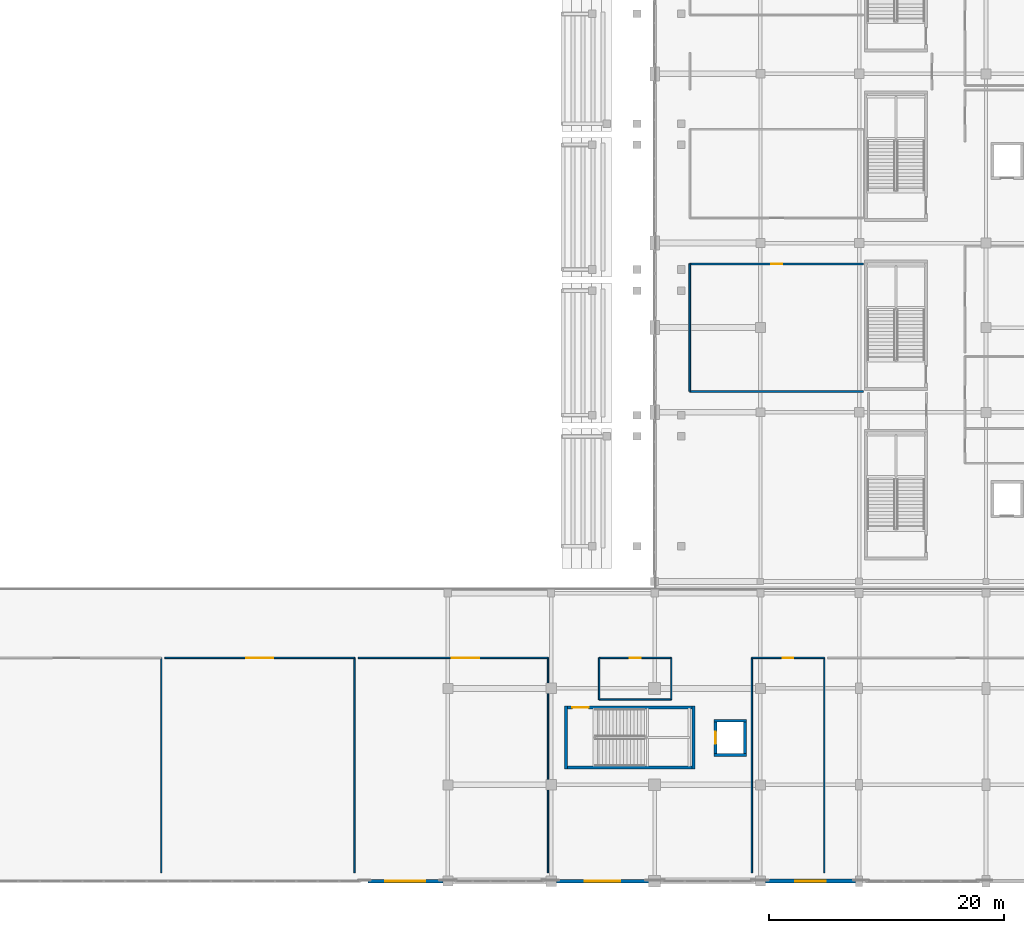
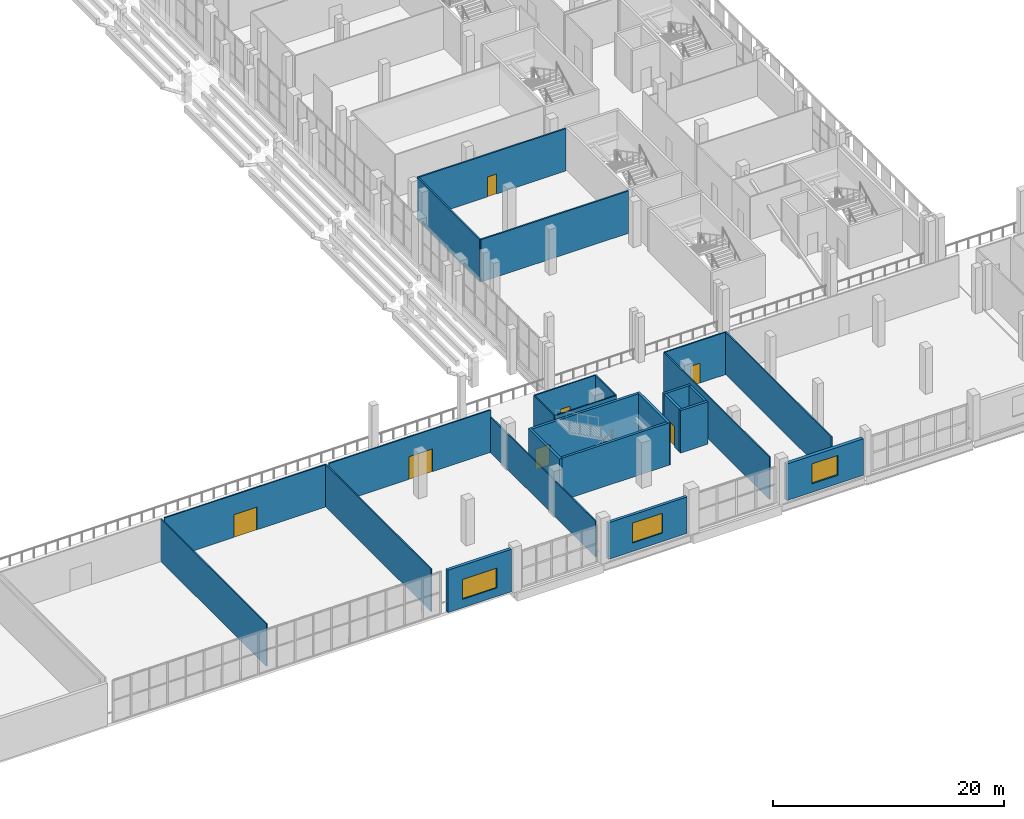
# One storey, part 96 of 142: 26 walls, 7 doors, 3 windows, 10 openings.
"""IFC4 building model written with IfcOpenShell, lengths in metres."""

from ifc_helpers import new_model, si_unit, direction, frame, frame_2d, origin, place, context, subcontext, project, spatial, rectangle, extrude, material, layer, layer_set, type_object, element, fill, save


model = new_model("IFC4")

# Units and contexts
model_context = context("Model", 3, precision=1e-05, world=origin(), true_north=direction((0.0, 1.0)))
body_context = subcontext(model_context, "Body", "Model", "MODEL_VIEW")
ifc_project = project(units=[si_unit("LENGTHUNIT", "METRE"), si_unit("AREAUNIT", "SQUARE_METRE"), si_unit("VOLUMEUNIT", "CUBIC_METRE"), si_unit("PLANEANGLEUNIT", "RADIAN"), si_unit("MASSUNIT", "GRAM", prefix="KILO")], contexts=[model_context])

# Site, building, storey
site_placement = place(None, origin())
site = spatial("IfcSite", under=ifc_project, at=site_placement, CompositionType="ELEMENT")
building_placement = place(site_placement, origin())
building = spatial("IfcBuilding", under=site, at=building_placement, Name="Koshinbarg Plaza Stadium", CompositionType="ELEMENT")
storey_placement = place(building_placement, frame((0.0, 0.0, 10.199951171875)))
storey = spatial("IfcBuildingStorey", under=building, at=storey_placement, Name="L02", CompositionType="ELEMENT", Elevation=10.199951171875)

# Walls
ifc_material_1 = material(Name="Concrete C40/50", Category="concrete")
ifc_layer_1 = layer(ifc_material_1, 0.25)
ifc_layer_set_1 = layer_set([ifc_layer_1], Name="Concrete C40/50")
wall_type_1 = type_object("IfcWallType", Name="WL-CORE-250", PredefinedType="SHEAR", material=ifc_layer_set_1)
for number, where, z_axis, x_axis, name in (
    (1, (172.875, 14.919921875, 0.0), (0.0, 0.0, 1.0), (0.0, -1.0, 0.0), "L02 core stair shear wall C14-near IWL-L02-0318"),
    (2, (183.72509765625, 9.550048828125, 0.0), (0.0, 0.0, 1.0), (0.0, 1.0, 0.0), "L02 core stair shear wall C14-far IWL-L02-0319"),
):
    element("IfcWall", number, at=place(storey_placement, frame(where, z_axis=z_axis, x_axis=x_axis)), inside=storey, type_object=wall_type_1, Name=name, PredefinedType="SHEAR", context=body_context, shape_type="SweptSolid", body=[
        extrude(rectangle(XDim=5.369873046875, YDim=0.25, at=frame_2d((2.68505859375, 0.0))), origin(), (0.0, 0.0, 1.0), 4.47998046875),
    ])

# Wall, opening, door
wall_1_placement = place(storey_placement, frame((172.875, 14.794921875, 0.0), z_axis=(0.0, 0.0, 1.0), x_axis=(1.0, 0.0, 0.0)))
wall_1 = element("IfcWall", 3, at=wall_1_placement, inside=storey, type_object=wall_type_1, Name="L02 core stair shear wall C14-left IWL-L02-0320", PredefinedType="SHEAR", context=body_context, shape_type="SweptSolid", body=[
    extrude(rectangle(XDim=10.85009765625, YDim=0.25, at=frame_2d((5.425048828125, 0.0))), origin(), (0.0, 0.0, 1.0), 4.47998046875),
])
opening_1_placement = place(wall_1_placement, frame((0.52001953125, 0.0, 0.0)))
opening_1 = element("IfcOpeningElement", 4, at=opening_1_placement, cuts=wall_1, Name="Opening D-0142", PredefinedType="OPENING", context=body_context, shape_type="SweptSolid", body=[
    extrude(rectangle(XDim=1.39990234375, YDim=2.14990234375, at=frame_2d((0.699951171875, 1.074951171875))), frame((0.0, 0.135009765625, 0.0), z_axis=(0.0, -1.0, 0.0), x_axis=(1.0, 0.0, 0.0)), (0.0, 0.0, 1.0), 0.27001953125),
])
ifc_material_2 = material(Name="Painted galvanized steel fire door", Category="steel")
door_type_1 = type_object("IfcDoorType", Name="DR-STAIR-1400", OperationType="NOTDEFINED", PredefinedType="DOOR", material=ifc_material_2)
door_1_placement = place(opening_1_placement, frame((1.39990234375, 0.0, 0.0), z_axis=(0.0, 0.0, 1.0), x_axis=(-1.0, 0.0, 0.0)))
door_1 = element("IfcDoor", 5, at=door_1_placement, inside=storey, type_object=door_type_1, Name="L02 exit stair door C14", OperationType="SINGLE_SWING_LEFT", OverallHeight=2.14990234375, OverallWidth=1.39990234375, PredefinedType="DOOR", context=body_context, shape_type="SweptSolid", body=[
    extrude(rectangle(XDim=1.39990234375, YDim=2.14990234375, at=frame_2d((0.699951171875, 1.074951171875))), frame((0.0, 0.02490234375, 0.0), z_axis=(0.0, -1.0, 0.0), x_axis=(1.0, 0.0, 0.0)), (0.0, 0.0, 1.0), 0.050048828125),
])
fill(opening_1, door_1)

# Walls
wall_2_placement = place(storey_placement, frame((172.875, 9.675048828125, 0.0), z_axis=(0.0, 0.0, 1.0), x_axis=(1.0, 0.0, 0.0)))
element("IfcWall", 6, at=wall_2_placement, inside=storey, type_object=wall_type_1, Name="L02 core stair shear wall C14-right IWL-L02-0321", PredefinedType="SHEAR", context=body_context, shape_type="SweptSolid", body=[
    extrude(rectangle(XDim=10.85009765625, YDim=0.25, at=frame_2d((5.425048828125, 0.0))), origin(), (0.0, 0.0, 1.0), 4.47998046875),
])
for number, where, z_axis, x_axis, name in (
    (7, (185.47509765625, 10.75, 0.0), (0.0, 0.0, 1.0), (1.0, 0.0, 0.0), "L02 lift shaft shear wall LP10-S IWL-L02-1018"),
    (8, (188.22509765625, 13.64990234375, 0.0), (0.0, 0.0, 1.0), (-1.0, 0.0, 0.0), "L02 lift shaft shear wall LP10-N IWL-L02-1019"),
):
    element("IfcWall", number, at=place(storey_placement, frame(where, z_axis=z_axis, x_axis=x_axis)), inside=storey, type_object=wall_type_1, Name=name, PredefinedType="SHEAR", context=body_context, shape_type="SweptSolid", body=[
        extrude(rectangle(XDim=2.75, YDim=0.25, at=frame_2d((1.375, 0.0))), origin(), (0.0, 0.0, 1.0), 4.47998046875),
    ])

# Wall, opening, door
wall_3_placement = place(storey_placement, frame((185.60009765625, 13.64990234375, 0.0), z_axis=(0.0, 0.0, 1.0), x_axis=(0.0, -1.0, 0.0)))
wall_3 = element("IfcWall", 9, at=wall_3_placement, inside=storey, type_object=wall_type_1, Name="L02 lift shaft shear wall LP10-W IWL-L02-1020", PredefinedType="SHEAR", context=body_context, shape_type="SweptSolid", body=[
    extrude(rectangle(XDim=2.89990234375, YDim=0.25, at=frame_2d((1.449951171875, 0.0))), origin(), (0.0, 0.0, 1.0), 4.47998046875),
])
opening_2_placement = place(wall_3_placement, frame((0.925048828125, 0.0, 0.0)))
opening_2 = element("IfcOpeningElement", 10, at=opening_2_placement, cuts=wall_3, Name="Opening D-0324", PredefinedType="OPENING", context=body_context, shape_type="SweptSolid", body=[
    extrude(rectangle(XDim=1.050048828125, YDim=2.14990234375, at=frame_2d((0.52490234375, 1.074951171875))), frame((0.0, 0.135009765625, 0.0), z_axis=(0.0, -1.0, 0.0), x_axis=(1.0, 0.0, 0.0)), (0.0, 0.0, 1.0), 0.27001953125),
])
ifc_material_3 = material(Name="Brushed stainless steel sliding lift landing door", Category="steel")
door_type_2 = type_object("IfcDoorType", Name="DR-LIFT-1050", OperationType="NOTDEFINED", PredefinedType="DOOR", material=ifc_material_3)
door_2_placement = place(opening_2_placement, origin())
door_2 = element("IfcDoor", 11, at=door_2_placement, inside=storey, type_object=door_type_2, Name="L02 lift landing door LP10", OperationType="SLIDING_TO_LEFT", OverallHeight=2.14990234375, OverallWidth=1.050048828125, PredefinedType="DOOR", context=body_context, shape_type="SweptSolid", body=[
    extrude(rectangle(XDim=1.050048828125, YDim=2.14990234375, at=frame_2d((0.52490234375, 1.074951171875))), frame((0.0, 0.02490234375, 0.0), z_axis=(0.0, -1.0, 0.0), x_axis=(1.0, 0.0, 0.0)), (0.0, 0.0, 1.0), 0.050048828125),
])
fill(opening_2, door_2)

# Wall
wall_4_placement = place(storey_placement, frame((188.10009765625, 10.75, 0.0), z_axis=(0.0, 0.0, 1.0), x_axis=(0.0, 1.0, 0.0)))
element("IfcWall", 12, at=wall_4_placement, inside=storey, type_object=wall_type_1, Name="L02 lift shaft shear wall LP10-E IWL-L02-1021", PredefinedType="SHEAR", context=body_context, shape_type="SweptSolid", body=[
    extrude(rectangle(XDim=2.89990234375, YDim=0.25, at=frame_2d((1.449951171875, 0.0))), origin(), (0.0, 0.0, 1.0), 4.47998046875),
])

# Wall, opening, window
ifc_material_4 = material(Name="Terracotta-ochre mineral plaster insulated wall", Category="masonry")
ifc_layer_2 = layer(ifc_material_4, 0.280029296875)
ifc_layer_set_2 = layer_set([ifc_layer_2], Name="Terracotta-ochre mineral plaster insulated wall")
wall_type_2 = type_object("IfcWallType", Name="WL-EXT-280", PredefinedType="SOLIDWALL", material=ifc_layer_set_2)
wall_5_placement = place(storey_placement, frame((179.905029296875, 0.0, 0.0), z_axis=(0.0, 0.0, 1.0), x_axis=(-1.0, 0.0, 0.0)))
wall_5 = element("IfcWall", 13, at=wall_5_placement, inside=storey, type_object=wall_type_2, Name="L02 exterior envelope wall EWL-L02-0136", PredefinedType="SOLIDWALL", context=body_context, shape_type="SweptSolid", body=[
    extrude(rectangle(XDim=7.860107421875, YDim=0.280029296875, at=frame_2d((3.93017578125, 0.0))), origin(), (0.0, 0.0, 1.0), 3.860107421875),
])
opening_3_placement = place(wall_5_placement, frame((2.429931640625, 0.0, 0.89990234375)))
opening_3 = element("IfcOpeningElement", 14, at=opening_3_placement, cuts=wall_5, Name="Opening WN17", PredefinedType="OPENING", context=body_context, shape_type="SweptSolid", body=[
    extrude(rectangle(XDim=3.0, YDim=2.10009765625, at=frame_2d((1.5, 1.050048828125))), frame((0.0, 0.14990234375, 0.0), z_axis=(0.0, -1.0, 0.0), x_axis=(1.0, 0.0, 0.0)), (0.0, 0.0, 1.0), 0.300048828125),
])
ifc_material_5 = material(Name="Solar-control double glazing in thermally broken aluminium frame", Category="aluminium")
window_type_1 = type_object("IfcWindowType", Name="WN-FAC-17", PartitioningType="DOUBLE_PANEL_VERTICAL", PredefinedType="WINDOW", material=ifc_material_5)
window_1_placement = place(opening_3_placement, origin())
window_1 = element("IfcWindow", 15, at=window_1_placement, inside=storey, type_object=window_type_1, Name="L02 facade window 0072", OverallHeight=2.10009765625, OverallWidth=3.0, PartitioningType="SINGLE_PANEL", PredefinedType="WINDOW", context=body_context, shape_type="SweptSolid", body=[
    extrude(rectangle(XDim=3.0, YDim=2.10009765625, at=frame_2d((1.5, 1.050048828125))), frame((0.0, 0.030029296875, 0.0), z_axis=(0.0, -1.0, 0.0), x_axis=(1.0, 0.0, 0.0)), (0.0, 0.0, 1.0), 0.06005859375),
])
fill(opening_3, window_1)

ifc_material_6 = material(Name="Off-white mineral plaster insulated wall", Category="masonry")
ifc_layer_3 = layer(ifc_material_6, 0.300048828125)
ifc_layer_set_3 = layer_set([ifc_layer_3], Name="Off-white mineral plaster insulated wall")
wall_type_3 = type_object("IfcWallType", Name="WL-EXT-300", PredefinedType="SOLIDWALL", material=ifc_layer_set_3)
wall_6_placement = place(storey_placement, frame((162.3798828125, 0.0, 0.0), z_axis=(0.0, 0.0, 1.0), x_axis=(-1.0, 0.0, 0.0)))
wall_6 = element("IfcWall", 16, at=wall_6_placement, inside=storey, type_object=wall_type_3, Name="L02 exterior envelope wall EWL-L02-0137", PredefinedType="SOLIDWALL", context=body_context, shape_type="SweptSolid", body=[
    extrude(rectangle(XDim=6.3798828125, YDim=0.300048828125, at=frame_2d((3.18994140625, 0.0))), origin(), (0.0, 0.0, 1.0), 4.47998046875),
])
opening_4_placement = place(wall_6_placement, frame((1.489990234375, 0.0, 0.89990234375)))
opening_4 = element("IfcOpeningElement", 17, at=opening_4_placement, cuts=wall_6, Name="Opening WN18", PredefinedType="OPENING", context=body_context, shape_type="SweptSolid", body=[
    extrude(rectangle(XDim=3.39990234375, YDim=2.10009765625, at=frame_2d((1.699951171875, 1.050048828125))), frame((0.0, 0.159912109375, 0.0), z_axis=(0.0, -1.0, 0.0), x_axis=(1.0, 0.0, 0.0)), (0.0, 0.0, 1.0), 0.320068359375),
])
window_type_2 = type_object("IfcWindowType", Name="WN-FAC-18", PartitioningType="DOUBLE_PANEL_VERTICAL", PredefinedType="WINDOW", material=ifc_material_5)
window_2_placement = place(opening_4_placement, origin())
window_2 = element("IfcWindow", 18, at=window_2_placement, inside=storey, type_object=window_type_2, Name="L02 facade window 0073", OverallHeight=2.10009765625, OverallWidth=3.39990234375, PartitioningType="SINGLE_PANEL", PredefinedType="WINDOW", context=body_context, shape_type="SweptSolid", body=[
    extrude(rectangle(XDim=3.39990234375, YDim=2.10009765625, at=frame_2d((1.699951171875, 1.050048828125))), frame((0.0, 0.030029296875, 0.0), z_axis=(0.0, -1.0, 0.0), x_axis=(1.0, 0.0, 0.0)), (0.0, 0.0, 1.0), 0.06005859375),
])
fill(opening_4, window_2)

ifc_material_7 = material(Name="Acoustic insulated masonry stadium wall", Category="masonry")
ifc_layer_4 = layer(ifc_material_7, 0.35009765625)
ifc_layer_set_4 = layer_set([ifc_layer_4], Name="Acoustic insulated masonry stadium wall")
wall_type_4 = type_object("IfcWallType", Name="WL-EXT-350", PredefinedType="SOLIDWALL", material=ifc_layer_set_4)
wall_7_placement = place(storey_placement, frame((197.5048828125, 0.0, 0.0), z_axis=(0.0, 0.0, 1.0), x_axis=(-1.0, 0.0, 0.0)))
wall_7 = element("IfcWall", 19, at=wall_7_placement, inside=storey, type_object=wall_type_4, Name="L02 exterior envelope wall EWL-L02-0135", PredefinedType="SOLIDWALL", context=body_context, shape_type="SweptSolid", body=[
    extrude(rectangle(XDim=7.684814453125, YDim=0.35009765625, at=frame_2d((3.84228515625, 0.0))), origin(), (0.0, 0.0, 1.0), 3.860107421875),
])
opening_5_placement = place(wall_7_placement, frame((2.54248046875, 0.0, 0.89990234375)))
opening_5 = element("IfcOpeningElement", 20, at=opening_5_placement, cuts=wall_7, Name="Opening WN16", PredefinedType="OPENING", context=body_context, shape_type="SweptSolid", body=[
    extrude(rectangle(XDim=2.60009765625, YDim=2.10009765625, at=frame_2d((1.300048828125, 1.050048828125))), frame((0.0, 0.18505859375, 0.0), z_axis=(0.0, -1.0, 0.0), x_axis=(1.0, 0.0, 0.0)), (0.0, 0.0, 1.0), 0.3701171875),
])
window_type_3 = type_object("IfcWindowType", Name="WN-FAC-16", PartitioningType="DOUBLE_PANEL_VERTICAL", PredefinedType="WINDOW", material=ifc_material_5)
window_3_placement = place(opening_5_placement, origin())
window_3 = element("IfcWindow", 21, at=window_3_placement, inside=storey, type_object=window_type_3, Name="L02 facade window 0071", OverallHeight=2.10009765625, OverallWidth=2.60009765625, PartitioningType="SINGLE_PANEL", PredefinedType="WINDOW", context=body_context, shape_type="SweptSolid", body=[
    extrude(rectangle(XDim=2.60009765625, YDim=2.10009765625, at=frame_2d((1.300048828125, 1.050048828125))), frame((0.0, 0.030029296875, 0.0), z_axis=(0.0, -1.0, 0.0), x_axis=(1.0, 0.0, 0.0)), (0.0, 0.0, 1.0), 0.06005859375),
])
fill(opening_5, window_3)

# Walls
ifc_material_8 = material(Name="Gypsum board metal-stud acoustic partition")
ifc_layer_5 = layer(ifc_material_8, 0.1201171875)
ifc_layer_set_5 = layer_set([ifc_layer_5], Name="Gypsum board metal-stud acoustic partition")
wall_type_5 = type_object("IfcWallType", Name="WL-PART-120", PredefinedType="PARTITIONING", material=ifc_layer_set_5)
for number, where, z_axis, x_axis, name in (
    (22, (138.42333984375, 0.699951171875, 0.0), (0.0, 0.0, 1.0), (0.0, 1.0, 0.0), "L02 interior partition L02-133-east IWL-L02-1827"),
    (23, (154.876708984375, 0.699951171875, 0.0), (0.0, 0.0, 1.0), (0.0, 1.0, 0.0), "L02 interior partition L02-134-east IWL-L02-1830"),
):
    element("IfcWall", number, at=place(storey_placement, frame(where, z_axis=z_axis, x_axis=x_axis)), inside=storey, type_object=wall_type_5, Name=name, PredefinedType="PARTITIONING", context=body_context, shape_type="SweptSolid", body=[
        extrude(rectangle(XDim=18.300048828125, YDim=0.1201171875, at=frame_2d((9.14990234375, 0.0))), origin(), (0.0, 0.0, 1.0), 4.47998046875),
    ])

# Wall, opening, door
wall_8_placement = place(storey_placement, frame((154.876708984375, 19.0, 0.0), z_axis=(0.0, 0.0, 1.0), x_axis=(-1.0, 0.0, 0.0)))
wall_8 = element("IfcWall", 24, at=wall_8_placement, inside=storey, type_object=wall_type_5, Name="L02 interior partition L02-134-north IWL-L02-1831", PredefinedType="PARTITIONING", context=body_context, shape_type="SweptSolid", body=[
    extrude(rectangle(XDim=16.1533203125, YDim=0.1201171875, at=frame_2d((8.07666015625, 0.0))), origin(), (0.0, 0.0, 1.0), 4.47998046875),
])
opening_6_placement = place(wall_8_placement, frame((6.936767578125, 0.0, 0.0)))
opening_6 = element("IfcOpeningElement", 25, at=opening_6_placement, cuts=wall_8, Name="Opening D-0621", PredefinedType="OPENING", context=body_context, shape_type="SweptSolid", body=[
    extrude(rectangle(XDim=2.280029296875, YDim=2.39990234375, at=frame_2d((1.14013671875, 1.199951171875))), frame((0.0, 0.070068359375, 0.0), z_axis=(0.0, -1.0, 0.0), x_axis=(1.0, 0.0, 0.0)), (0.0, 0.0, 1.0), 0.14013671875),
])
ifc_material_9 = material(Name="Anodised aluminium and laminated glass portal door", Category="aluminium")
door_type_3 = type_object("IfcDoorType", Name="DR-INT-2280x2400", OperationType="NOTDEFINED", PredefinedType="DOOR", material=ifc_material_9)
door_3_placement = place(opening_6_placement, origin())
door_3 = element("IfcDoor", 26, at=door_3_placement, inside=storey, type_object=door_type_3, Name="L02 Grand Civic Banquet Hall door D-0621", OperationType="DOUBLE_DOOR_SINGLE_SWING", OverallHeight=2.39990234375, OverallWidth=2.280029296875, PredefinedType="DOOR", context=body_context, shape_type="SweptSolid", body=[
    extrude(rectangle(XDim=2.280029296875, YDim=2.39990234375, at=frame_2d((1.14013671875, 1.199951171875))), frame((0.0, 0.02490234375, 0.0), z_axis=(0.0, -1.0, 0.0), x_axis=(1.0, 0.0, 0.0)), (0.0, 0.0, 1.0), 0.050048828125),
])
fill(opening_6, door_3)

# Wall
wall_9_placement = place(storey_placement, frame((171.330078125, 0.699951171875, 0.0), z_axis=(0.0, 0.0, 1.0), x_axis=(0.0, 1.0, 0.0)))
element("IfcWall", 27, at=wall_9_placement, inside=storey, type_object=wall_type_5, Name="L02 interior partition L02-135-east IWL-L02-1832", PredefinedType="PARTITIONING", context=body_context, shape_type="SweptSolid", body=[
    extrude(rectangle(XDim=18.300048828125, YDim=0.1201171875, at=frame_2d((9.14990234375, 0.0))), origin(), (0.0, 0.0, 1.0), 3.760009765625),
])

# Wall, opening, door
wall_10_placement = place(storey_placement, frame((171.330078125, 19.0, 0.0), z_axis=(0.0, 0.0, 1.0), x_axis=(-1.0, 0.0, 0.0)))
wall_10 = element("IfcWall", 28, at=wall_10_placement, inside=storey, type_object=wall_type_5, Name="L02 interior partition L02-135-north IWL-L02-1833", PredefinedType="PARTITIONING", context=body_context, shape_type="SweptSolid", body=[
    extrude(rectangle(XDim=16.1533203125, YDim=0.1201171875, at=frame_2d((8.07666015625, 0.0))), origin(), (0.0, 0.0, 1.0), 4.47998046875),
])
opening_7_placement = place(wall_10_placement, frame((5.84912109375, 0.0, 0.0)))
opening_7 = element("IfcOpeningElement", 29, at=opening_7_placement, cuts=wall_10, Name="Opening D-0622", PredefinedType="OPENING", context=body_context, shape_type="SweptSolid", body=[
    extrude(rectangle(XDim=2.360107421875, YDim=2.39990234375, at=frame_2d((1.18017578125, 1.199951171875))), frame((0.0, 0.070068359375, 0.0), z_axis=(0.0, -1.0, 0.0), x_axis=(1.0, 0.0, 0.0)), (0.0, 0.0, 1.0), 0.14013671875),
])
ifc_material_10 = material(Name="Powder-coated steel and tempered glass double door", Category="steel")
door_type_4 = type_object("IfcDoorType", Name="DR-INT-2360x2400", OperationType="NOTDEFINED", PredefinedType="DOOR", material=ifc_material_10)
door_4_placement = place(opening_7_placement, origin())
door_4 = element("IfcDoor", 30, at=door_4_placement, inside=storey, type_object=door_type_4, Name="L02 South Hospitality Lounge door D-0622", OperationType="DOUBLE_DOOR_SINGLE_SWING", OverallHeight=2.39990234375, OverallWidth=2.360107421875, PredefinedType="DOOR", context=body_context, shape_type="SweptSolid", body=[
    extrude(rectangle(XDim=2.360107421875, YDim=2.39990234375, at=frame_2d((1.18017578125, 1.199951171875))), frame((0.0, 0.02490234375, 0.0), z_axis=(0.0, -1.0, 0.0), x_axis=(1.0, 0.0, 0.0)), (0.0, 0.0, 1.0), 0.050048828125),
])
fill(opening_7, door_4)

# Wall
wall_11_placement = place(storey_placement, frame((194.83740234375, 0.699951171875, 0.0), z_axis=(0.0, 0.0, 1.0), x_axis=(0.0, 1.0, 0.0)))
element("IfcWall", 31, at=wall_11_placement, inside=storey, type_object=wall_type_5, Name="L02 interior partition L02-136-east IWL-L02-1834", PredefinedType="PARTITIONING", context=body_context, shape_type="SweptSolid", body=[
    extrude(rectangle(XDim=18.300048828125, YDim=0.1201171875, at=frame_2d((9.14990234375, 0.0))), origin(), (0.0, 0.0, 1.0), 4.47998046875),
])

# Wall, opening, door
wall_12_placement = place(storey_placement, frame((194.83740234375, 19.0, 0.0), z_axis=(0.0, 0.0, 1.0), x_axis=(-1.0, 0.0, 0.0)))
wall_12 = element("IfcWall", 32, at=wall_12_placement, inside=storey, type_object=wall_type_5, Name="L02 interior partition L02-136-north IWL-L02-1835", PredefinedType="PARTITIONING", context=body_context, shape_type="SweptSolid", body=[
    extrude(rectangle(XDim=6.157470703125, YDim=0.1201171875, at=frame_2d((3.07861328125, 0.0))), origin(), (0.0, 0.0, 1.0), 4.47998046875),
])
opening_8_placement = place(wall_12_placement, frame((2.61865234375, 0.0, 0.0)))
opening_8 = element("IfcOpeningElement", 33, at=opening_8_placement, cuts=wall_12, Name="Opening D-0623", PredefinedType="OPENING", context=body_context, shape_type="SweptSolid", body=[
    extrude(rectangle(XDim=0.919921875, YDim=2.10009765625, at=frame_2d((0.4599609375, 1.050048828125))), frame((0.0, 0.070068359375, 0.0), z_axis=(0.0, -1.0, 0.0), x_axis=(1.0, 0.0, 0.0)), (0.0, 0.0, 1.0), 0.14013671875),
])
ifc_material_11 = material(Name="Solid-core oak veneer acoustic door")
door_type_5 = type_object("IfcDoorType", Name="DR-INT-0920x2100", OperationType="NOTDEFINED", PredefinedType="DOOR", material=ifc_material_11)
door_5_placement = place(opening_8_placement, origin())
door_5 = element("IfcDoor", 34, at=door_5_placement, inside=storey, type_object=door_type_5, Name="L02 Grand Civic Banquet Hall door D-0623", OperationType="SINGLE_SWING_LEFT", OverallHeight=2.10009765625, OverallWidth=0.919921875, PredefinedType="DOOR", context=body_context, shape_type="SweptSolid", body=[
    extrude(rectangle(XDim=0.919921875, YDim=2.10009765625, at=frame_2d((0.4599609375, 1.050048828125))), frame((0.0, 0.02490234375, 0.0), z_axis=(0.0, -1.0, 0.0), x_axis=(1.0, 0.0, 0.0)), (0.0, 0.0, 1.0), 0.050048828125),
])
fill(opening_8, door_5)

# Walls
wall_13_placement = place(storey_placement, frame((188.679931640625, 19.0, 0.0), z_axis=(0.0, 0.0, 1.0), x_axis=(0.0, -1.0, 0.0)))
element("IfcWall", 35, at=wall_13_placement, inside=storey, type_object=wall_type_5, Name="L02 interior partition L02-136-west IWL-L02-1836", PredefinedType="PARTITIONING", context=body_context, shape_type="SweptSolid", body=[
    extrude(rectangle(XDim=18.300048828125, YDim=0.1201171875, at=frame_2d((9.14990234375, 0.0))), origin(), (0.0, 0.0, 1.0), 4.47998046875),
])
wall_14_placement = place(storey_placement, frame((175.679931640625, 15.449951171875, 0.0), z_axis=(0.0, 0.0, 1.0), x_axis=(1.0, 0.0, 0.0)))
element("IfcWall", 36, at=wall_14_placement, inside=storey, type_object=wall_type_5, Name="L02 interior partition L02-137-south IWL-L02-1837", PredefinedType="PARTITIONING", context=body_context, shape_type="SweptSolid", body=[
    extrude(rectangle(XDim=6.14013671875, YDim=0.1201171875, at=frame_2d((3.070068359375, 0.0))), origin(), (0.0, 0.0, 1.0), 4.47998046875),
])
wall_15_placement = place(storey_placement, frame((181.820068359375, 15.449951171875, 0.0), z_axis=(0.0, 0.0, 1.0), x_axis=(0.0, 1.0, 0.0)))
element("IfcWall", 37, at=wall_15_placement, inside=storey, type_object=wall_type_5, Name="L02 interior partition L02-137-east IWL-L02-1838", PredefinedType="PARTITIONING", context=body_context, shape_type="SweptSolid", body=[
    extrude(rectangle(XDim=3.550048828125, YDim=0.1201171875, at=frame_2d((1.77490234375, 0.0))), origin(), (0.0, 0.0, 1.0), 4.47998046875),
])

# Wall, opening, door
wall_16_placement = place(storey_placement, frame((181.820068359375, 19.0, 0.0), z_axis=(0.0, 0.0, 1.0), x_axis=(-1.0, 0.0, 0.0)))
wall_16 = element("IfcWall", 38, at=wall_16_placement, inside=storey, type_object=wall_type_5, Name="L02 interior partition L02-137-north IWL-L02-1839", PredefinedType="PARTITIONING", context=body_context, shape_type="SweptSolid", body=[
    extrude(rectangle(XDim=6.14013671875, YDim=0.1201171875, at=frame_2d((3.070068359375, 0.0))), origin(), (0.0, 0.0, 1.0), 4.47998046875),
])
opening_9_placement = place(wall_16_placement, frame((2.590087890625, 0.0, 0.0)))
opening_9 = element("IfcOpeningElement", 39, at=opening_9_placement, cuts=wall_16, Name="Opening D-0624", PredefinedType="OPENING", context=body_context, shape_type="SweptSolid", body=[
    extrude(rectangle(XDim=0.9599609375, YDim=2.10009765625, at=frame_2d((0.47998046875, 1.050048828125))), frame((0.0, 0.070068359375, 0.0), z_axis=(0.0, -1.0, 0.0), x_axis=(1.0, 0.0, 0.0)), (0.0, 0.0, 1.0), 0.14013671875),
])
door_type_6 = type_object("IfcDoorType", Name="DR-INT-0960x2100", OperationType="NOTDEFINED", PredefinedType="DOOR", material=ifc_material_11)
door_6_placement = place(opening_9_placement, origin())
door_6 = element("IfcDoor", 40, at=door_6_placement, inside=storey, type_object=door_type_6, Name="L02 South Hospitality Lounge door D-0624", OperationType="SINGLE_SWING_RIGHT", OverallHeight=2.10009765625, OverallWidth=0.9599609375, PredefinedType="DOOR", context=body_context, shape_type="SweptSolid", body=[
    extrude(rectangle(XDim=0.9599609375, YDim=2.10009765625, at=frame_2d((0.47998046875, 1.050048828125))), frame((0.0, 0.02490234375, 0.0), z_axis=(0.0, -1.0, 0.0), x_axis=(1.0, 0.0, 0.0)), (0.0, 0.0, 1.0), 0.050048828125),
])
fill(opening_9, door_6)

# Walls
wall_17_placement = place(storey_placement, frame((175.679931640625, 19.0, 0.0), z_axis=(0.0, 0.0, 1.0), x_axis=(0.0, -1.0, 0.0)))
element("IfcWall", 41, at=wall_17_placement, inside=storey, type_object=wall_type_5, Name="L02 interior partition L02-137-west IWL-L02-1840", PredefinedType="PARTITIONING", context=body_context, shape_type="SweptSolid", body=[
    extrude(rectangle(XDim=3.550048828125, YDim=0.1201171875, at=frame_2d((1.77490234375, 0.0))), origin(), (0.0, 0.0, 1.0), 4.47998046875),
])
ifc_material_12 = material(Name="Double-layer gypsum acoustic suite partition")
ifc_layer_6 = layer(ifc_material_12, 0.14990234375)
ifc_layer_set_6 = layer_set([ifc_layer_6], Name="Double-layer gypsum acoustic suite partition")
wall_type_6 = type_object("IfcWallType", Name="WL-PART-150", PredefinedType="PARTITIONING", material=ifc_layer_set_6)
wall_18_placement = place(storey_placement, frame((183.39990234375, 41.669921875, 0.0), z_axis=(0.0, 0.0, 1.0), x_axis=(1.0, 0.0, 0.0)))
element("IfcWall", 42, at=wall_18_placement, inside=storey, type_object=wall_type_6, Name="L02 interior partition L02-85-south IWL-L02-1693", PredefinedType="PARTITIONING", context=body_context, shape_type="SweptSolid", body=[
    extrude(rectangle(XDim=14.77001953125, YDim=0.14990234375, at=frame_2d((7.385009765625, 0.0))), origin(), (0.0, 0.0, 1.0), 4.47998046875),
])

# Wall, opening, door
wall_19_placement = place(storey_placement, frame((198.169921875, 52.52001953125, 0.0), z_axis=(0.0, 0.0, 1.0), x_axis=(-1.0, 0.0, 0.0)))
wall_19 = element("IfcWall", 43, at=wall_19_placement, inside=storey, type_object=wall_type_6, Name="L02 interior partition L02-85-north IWL-L02-1694", PredefinedType="PARTITIONING", context=body_context, shape_type="SweptSolid", body=[
    extrude(rectangle(XDim=14.77001953125, YDim=0.14990234375, at=frame_2d((7.385009765625, 0.0))), origin(), (0.0, 0.0, 1.0), 4.47998046875),
])
opening_10_placement = place(wall_19_placement, frame((6.925048828125, 0.0, 0.0)))
opening_10 = element("IfcOpeningElement", 44, at=opening_10_placement, cuts=wall_19, Name="Opening D-0572", PredefinedType="OPENING", context=body_context, shape_type="SweptSolid", body=[
    extrude(rectangle(XDim=0.919921875, YDim=2.10009765625, at=frame_2d((0.4599609375, 1.050048828125))), frame((0.0, 0.0849609375, 0.0), z_axis=(0.0, -1.0, 0.0), x_axis=(1.0, 0.0, 0.0)), (0.0, 0.0, 1.0), 0.169921875),
])
door_7_placement = place(opening_10_placement, origin())
door_7 = element("IfcDoor", 45, at=door_7_placement, inside=storey, type_object=door_type_5, Name="L02 East Hospitality Suite door D-0572", OperationType="SINGLE_SWING_RIGHT", OverallHeight=2.10009765625, OverallWidth=0.919921875, PredefinedType="DOOR", context=body_context, shape_type="SweptSolid", body=[
    extrude(rectangle(XDim=0.919921875, YDim=2.10009765625, at=frame_2d((0.4599609375, 1.050048828125))), frame((0.0, 0.02490234375, 0.0), z_axis=(0.0, -1.0, 0.0), x_axis=(1.0, 0.0, 0.0)), (0.0, 0.0, 1.0), 0.050048828125),
])
fill(opening_10, door_7)

# Wall
wall_20_placement = place(storey_placement, frame((183.39990234375, 52.52001953125, 0.0), z_axis=(0.0, 0.0, 1.0), x_axis=(0.0, -1.0, 0.0)))
element("IfcWall", 46, at=wall_20_placement, inside=storey, type_object=wall_type_6, Name="L02 interior partition L02-85-west IWL-L02-1695", PredefinedType="PARTITIONING", context=body_context, shape_type="SweptSolid", body=[
    extrude(rectangle(XDim=10.85009765625, YDim=0.14990234375, at=frame_2d((5.425048828125, 0.0))), origin(), (0.0, 0.0, 1.0), 4.47998046875),
])

save(model, "model.ifc")
